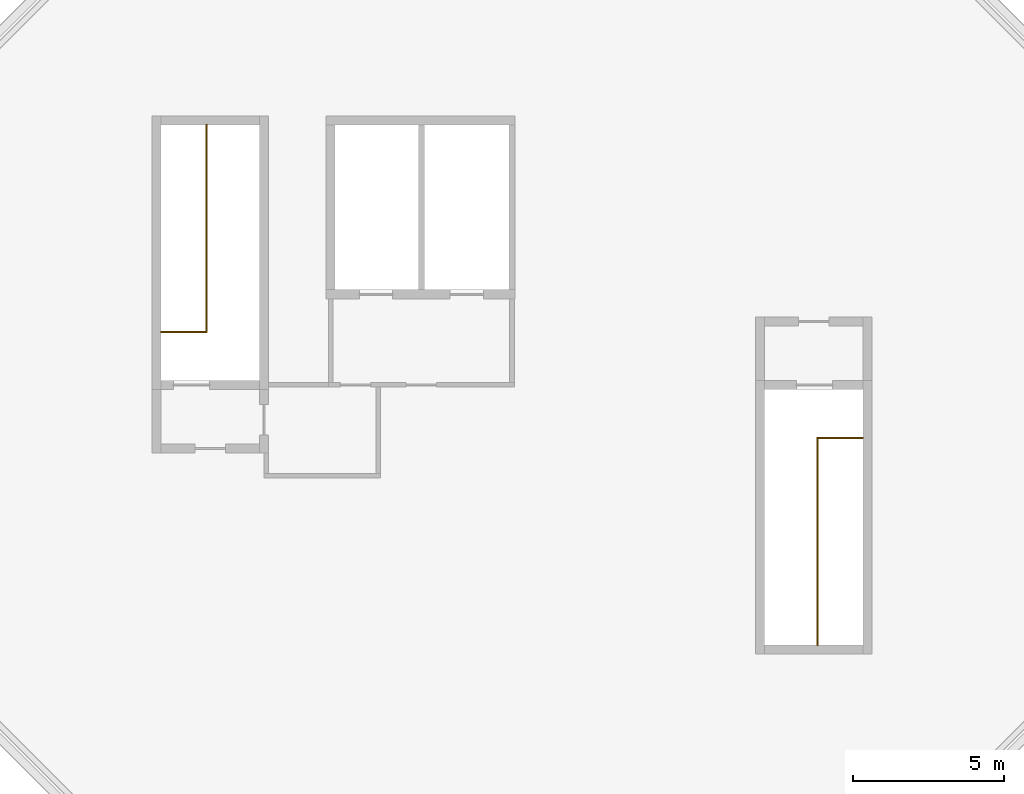
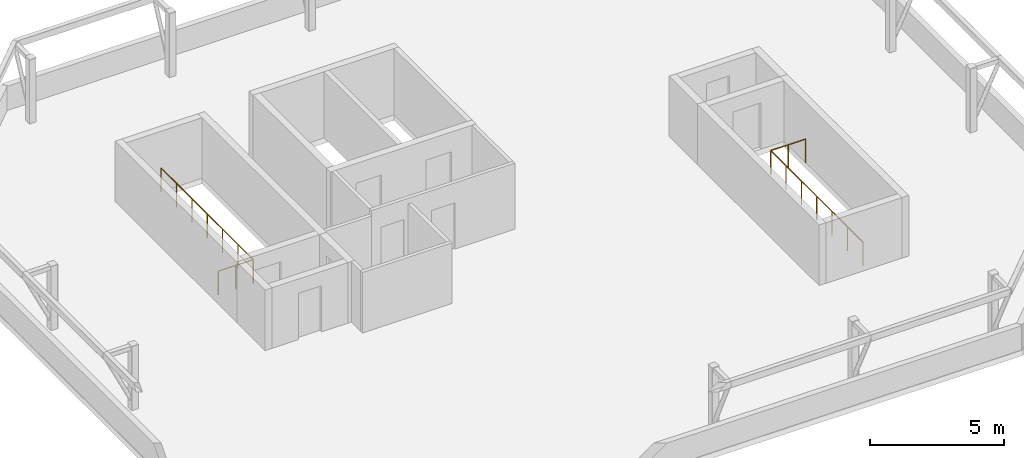
# One storey, part 5 of 6: 2 railings.
"""IFC4 building model written with IfcOpenShell, lengths in metres."""

from ifc_helpers import new_model, si_unit, direction, frame, origin, origin_2d, place, context, subcontext, project, spatial, circle, extrude, material, type_object, element, save


model = new_model("IFC4")

# Units and contexts
model_context = context("Model", 3, precision=1e-05, world=origin(), true_north=direction((0.0, 1.0)))
body_context = subcontext(model_context, "Body", "Model", "MODEL_VIEW")
ifc_project = project(units=[si_unit("LENGTHUNIT", "METRE"), si_unit("AREAUNIT", "SQUARE_METRE"), si_unit("VOLUMEUNIT", "CUBIC_METRE"), si_unit("PLANEANGLEUNIT", "RADIAN"), si_unit("MASSUNIT", "GRAM", prefix="KILO")], contexts=[model_context])

# Site, building, storey
site_placement = place(None, origin())
site = spatial("IfcSite", under=ifc_project, at=site_placement, CompositionType="ELEMENT")
building_placement = place(site_placement, origin())
building = spatial("IfcBuilding", under=site, at=building_placement, Name="Highveld Stack Headquarters", CompositionType="ELEMENT")
storey_placement = place(building_placement, frame((0.0, 0.0, 305.699951171875)))
storey = spatial("IfcBuildingStorey", under=building, at=storey_placement, Name="RF", CompositionType="ELEMENT", Elevation=305.699951171875)

# Railings
ifc_material = material(Name="Steel balustrade, powder coated", Category="steel")
railing_type = type_object("IfcRailingType", Name="STAIR GUARD GR2 1100", PredefinedType="GUARDRAIL", material=ifc_material)
railing_1_placement = place(storey_placement, frame((-5.60009765625, 4.75, 0.0)))
element("IfcRailing", 1, at=railing_1_placement, inside=storey, type_object=railing_type, Name="Stair guard S1 RF", PredefinedType="GUARDRAIL", context=body_context, shape_type="SweptSolid", body=[
    extrude(circle(Radius=0.02392578125, at=origin_2d()), frame((0.0, 0.0, 1.076171875), z_axis=(1.0, 0.0, 0.0), x_axis=(0.0, 1.0, 0.0)), (0.0, 0.0, 1.0), 1.5),
    extrude(circle(Radius=0.02392578125, at=origin_2d()), frame((1.5, 0.0, 1.076171875), z_axis=(0.0, 1.0, 0.0), x_axis=(-1.0, 0.0, 0.0)), (0.0, 0.0, 1.0), 6.85009765625),
    extrude(circle(Radius=0.02099609375, at=origin_2d()), origin(), (0.0, 0.0, 1.0), 1.052001953125),
    extrude(circle(Radius=0.02099609375, at=origin_2d()), frame((0.75, 0.0, 0.0)), (0.0, 0.0, 1.0), 1.052001953125),
    extrude(circle(Radius=0.02099609375, at=origin_2d()), frame((1.5, 0.0, 0.0)), (0.0, 0.0, 1.0), 1.052001953125),
    extrude(circle(Radius=0.02099609375, at=origin_2d()), frame((1.5, 1.1416015625, 0.0)), (0.0, 0.0, 1.0), 1.052001953125),
    extrude(circle(Radius=0.02099609375, at=origin_2d()), frame((1.5, 2.283447265625, 0.0)), (0.0, 0.0, 1.0), 1.052001953125),
    extrude(circle(Radius=0.02099609375, at=origin_2d()), frame((1.5, 3.425048828125, 0.0)), (0.0, 0.0, 1.0), 1.052001953125),
    extrude(circle(Radius=0.02099609375, at=origin_2d()), frame((1.5, 4.566650390625, 0.0)), (0.0, 0.0, 1.0), 1.052001953125),
    extrude(circle(Radius=0.02099609375, at=origin_2d()), frame((1.5, 5.70849609375, 0.0)), (0.0, 0.0, 1.0), 1.052001953125),
    extrude(circle(Radius=0.02099609375, at=origin_2d()), frame((1.5, 6.85009765625, 0.0)), (0.0, 0.0, 1.0), 1.052001953125),
])
railing_2_placement = place(storey_placement, frame((17.60009765625, 1.25, 0.0)))
element("IfcRailing", 2, at=railing_2_placement, inside=storey, type_object=railing_type, Name="Stair guard S2 RF", PredefinedType="GUARDRAIL", context=body_context, shape_type="SweptSolid", body=[
    extrude(circle(Radius=0.02392578125, at=origin_2d()), frame((0.0, 0.0, 1.076171875), z_axis=(-1.0, 0.0, 0.0), x_axis=(0.0, -1.0, 0.0)), (0.0, 0.0, 1.0), 1.5),
    extrude(circle(Radius=0.02392578125, at=origin_2d()), frame((-1.5, 0.0, 1.076171875), z_axis=(0.0, -1.0, 0.0), x_axis=(1.0, 0.0, 0.0)), (0.0, 0.0, 1.0), 6.85009765625),
    extrude(circle(Radius=0.02099609375, at=origin_2d()), origin(), (0.0, 0.0, 1.0), 1.052001953125),
    extrude(circle(Radius=0.02099609375, at=origin_2d()), frame((-0.75, 0.0, 0.0)), (0.0, 0.0, 1.0), 1.052001953125),
    extrude(circle(Radius=0.02099609375, at=origin_2d()), frame((-1.5, 0.0, 0.0)), (0.0, 0.0, 1.0), 1.052001953125),
    extrude(circle(Radius=0.02099609375, at=origin_2d()), frame((-1.5, -1.1416015625, 0.0)), (0.0, 0.0, 1.0), 1.052001953125),
    extrude(circle(Radius=0.02099609375, at=origin_2d()), frame((-1.5, -2.283447265625, 0.0)), (0.0, 0.0, 1.0), 1.052001953125),
    extrude(circle(Radius=0.02099609375, at=origin_2d()), frame((-1.5, -3.425048828125, 0.0)), (0.0, 0.0, 1.0), 1.052001953125),
    extrude(circle(Radius=0.02099609375, at=origin_2d()), frame((-1.5, -4.566650390625, 0.0)), (0.0, 0.0, 1.0), 1.052001953125),
    extrude(circle(Radius=0.02099609375, at=origin_2d()), frame((-1.5, -5.70849609375, 0.0)), (0.0, 0.0, 1.0), 1.052001953125),
    extrude(circle(Radius=0.02099609375, at=origin_2d()), frame((-1.5, -6.85009765625, 0.0)), (0.0, 0.0, 1.0), 1.052001953125),
])

save(model, "model.ifc")
